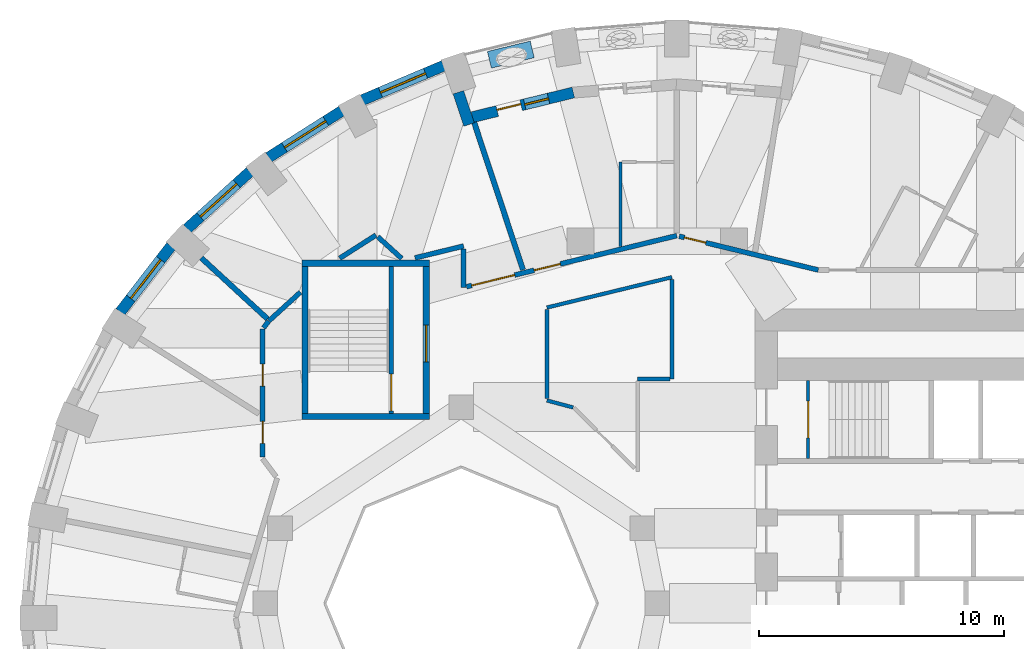
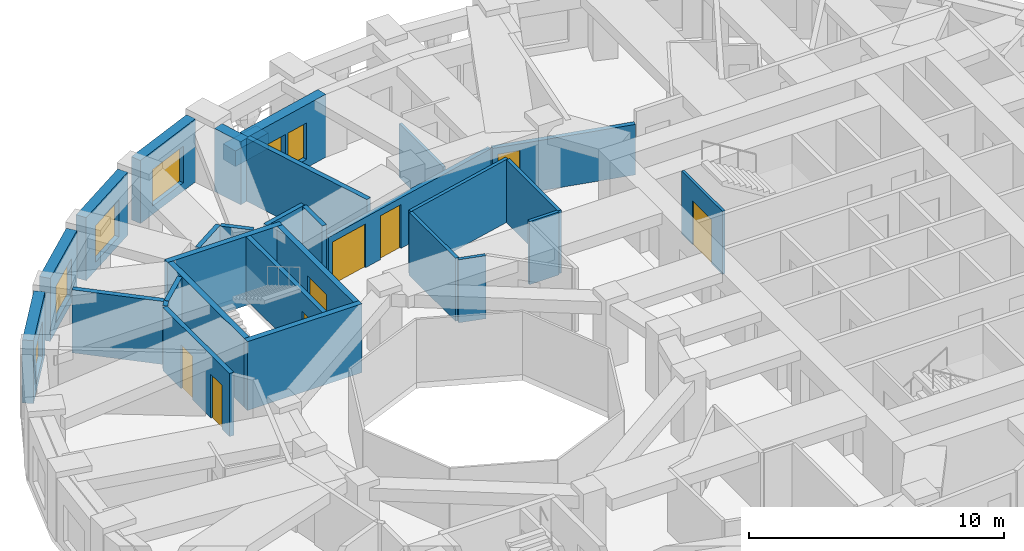
# One storey, part 7 of 12: 30 walls, 9 doors, 5 windows, 14 openings.
"""IFC4 building model written with IfcOpenShell, lengths in metres."""

import ifcopenshell
import ifcopenshell.guid

model = None  # the IFC model being written
_history = None  # IfcOwnerHistory: only IFC2X3 demands one
_inside = {}  # id of a spatial element -> (the spatial element, [elements in it])
_under = {}  # id of a project, library or spatial element -> (it, [spatial elements below it])
_declared = {}  # id of a project -> (the project, [libraries it declares])
_typed = {}  # id of a type object -> (the type object, [elements of that type])
_made_of = {}  # id of a material, layer set ... -> (it, [elements and type objects made of it])


def new_model(schema):
    """Start an empty IFC model of exactly this schema.

    Asked for "IFC4X3", IfcOpenShell would pick the latest addendum, in which some entities
    have other attributes; the version numbers below select the first issue.
    IFC2X3 requires an IfcOwnerHistory on every rooted entity: one is made here for all.
    """
    global model, _history
    if schema == "IFC4X3":
        model = ifcopenshell.file(schema_version=(4, 3, 0, 0))
    else:
        model = ifcopenshell.file(schema=schema)
    _inside.clear()
    _under.clear()
    _declared.clear()
    _typed.clear()
    _made_of.clear()
    _history = None
    if model.schema == "IFC2X3":
        org = make("IfcOrganization", Name="unknown")
        user = make(
            "IfcPersonAndOrganization",
            ThePerson=make("IfcPerson", FamilyName="unknown"),
            TheOrganization=org,
        )
        app = make(
            "IfcApplication",
            ApplicationDeveloper=org,
            Version="unknown",
            ApplicationFullName="unknown",
            ApplicationIdentifier="unknown",
        )
        _history = make(
            "IfcOwnerHistory",
            OwningUser=user,
            OwningApplication=app,
            ChangeAction="ADDED",
            CreationDate=0,
        )
    return model


def make(cls, **values):
    """One entity of the class cls with the attributes given. An attribute that is None is left unset."""
    return model.create_entity(
        cls, **{name: value for name, value in values.items() if value is not None}
    )


def rooted(cls, **values):
    """An entity with a GlobalId (a new one), such as an element, a storey or a relation."""
    return make(cls, GlobalId=ifcopenshell.guid.new(), OwnerHistory=_history, **values)


def si_unit(unit_type, name, prefix=None):
    """IfcSIUnit, for example si_unit("LENGTHUNIT", "METRE", prefix="MILLI")."""
    return make("IfcSIUnit", UnitType=unit_type, Prefix=prefix, Name=name)


def assignment(units):
    """IfcUnitAssignment: the units of a project."""
    return None if units is None else make("IfcUnitAssignment", Units=units)


def point(xyz):
    """IfcCartesianPoint."""
    return None if xyz is None else make("IfcCartesianPoint", Coordinates=xyz)


def direction(xyz):
    """IfcDirection."""
    return None if xyz is None else make("IfcDirection", DirectionRatios=xyz)


def frame(location, z_axis=None, x_axis=None):
    """IfcAxis2Placement3D, a coordinate frame: its origin and axes. An axis left out is left unset."""
    return make(
        "IfcAxis2Placement3D",
        Location=point(location),
        Axis=direction(z_axis),
        RefDirection=direction(x_axis),
    )


def frame_2d(location, x_axis=None):
    """IfcAxis2Placement2D, a coordinate frame in the plane: its origin and x axis."""
    return make(
        "IfcAxis2Placement2D", Location=point(location), RefDirection=direction(x_axis)
    )


def origin():
    """The frame at (0, 0, 0) with its axes left unset."""
    return frame((0.0, 0.0, 0.0))


def place(relative_to, where):
    """IfcLocalPlacement: puts the frame where relative to a parent placement (None: the world)."""
    return make(
        "IfcLocalPlacement", PlacementRelTo=relative_to, RelativePlacement=where
    )


def context(
    kind, dimensions, precision=None, world=None, true_north=None, identifier=None
):
    """IfcGeometricRepresentationContext, for example the 3D "Model" context."""
    return make(
        "IfcGeometricRepresentationContext",
        ContextIdentifier=identifier,
        ContextType=kind,
        CoordinateSpaceDimension=dimensions,
        Precision=precision,
        WorldCoordinateSystem=world,
        TrueNorth=true_north,
    )


def subcontext(parent, identifier, kind, view, scale=None):
    """IfcGeometricRepresentationSubContext, for example "Body" below "Model"."""
    return make(
        "IfcGeometricRepresentationSubContext",
        ContextIdentifier=identifier,
        ContextType=kind,
        ParentContext=parent,
        TargetScale=scale,
        TargetView=view,
    )


def project(units=None, contexts=None):
    """IfcProject with its units and contexts."""
    return rooted(
        "IfcProject",
        Name="project",
        RepresentationContexts=contexts,
        UnitsInContext=assignment(units),
    )


def spatial(cls, under=None, at=None, **own):
    """A site, building, storey or space (cls), placed at a placement, below another one or the project."""
    s = rooted(cls, ObjectPlacement=at, **own)
    if under is not None:
        _under.setdefault(under.id(), (under, []))[1].append(s)
    return s


def profile(cls, at=None, kind="AREA", **sizes):
    """A parametric profile (cls). Its sizes go by their IFC names, for example OverallWidth=200.0."""
    return make(cls, ProfileType=kind, Position=at, **sizes)


def rectangle(**sizes):
    """IfcRectangleProfileDef."""
    return profile("IfcRectangleProfileDef", **sizes)


def extrude(swept, where, along, depth):
    """IfcExtrudedAreaSolid: the profile swept, set in the frame where, extruded along a direction by depth."""
    return make(
        "IfcExtrudedAreaSolid",
        SweptArea=swept,
        Position=where,
        ExtrudedDirection=direction(along),
        Depth=depth,
    )


def shape(context_of_items, identifier, shape_type, items):
    """IfcShapeRepresentation: the items that make up one representation, for example the "Body"."""
    return make(
        "IfcShapeRepresentation",
        ContextOfItems=context_of_items,
        RepresentationIdentifier=identifier,
        RepresentationType=shape_type,
        Items=items,
    )


def material(Name=None, Category=None):
    """IfcMaterial."""
    return make("IfcMaterial", Name=Name, Category=Category)


def layer(
    of_material, thickness, ventilated=None, Name=None, Category=None, Priority=None
):
    """IfcMaterialLayer: one layer of a wall or slab, of a material (None: an air gap)."""
    return make(
        "IfcMaterialLayer",
        Material=of_material,
        LayerThickness=thickness,
        IsVentilated=ventilated,
        Name=Name,
        Category=Category,
        Priority=Priority,
    )


def layer_set(layers, Name=None):
    """IfcMaterialLayerSet."""
    return make("IfcMaterialLayerSet", MaterialLayers=layers, LayerSetName=Name)


def constituent(of_material, Name=None, Category=None, fraction=None):
    """IfcMaterialConstituent: one of the materials an element consists of."""
    return make(
        "IfcMaterialConstituent",
        Name=Name,
        Material=of_material,
        Fraction=fraction,
        Category=Category,
    )


def constituent_set(constituents=None, Name=None):
    """IfcMaterialConstituentSet."""
    return make(
        "IfcMaterialConstituentSet", Name=Name, MaterialConstituents=constituents
    )


def made_of(thing, what):
    """Note that an element or type object is made of a material, layer set ...; save() writes the relation."""
    if what is not None:
        _made_of.setdefault(what.id(), (what, []))[1].append(thing)
    return thing


def type_object(cls, material=None, **own):
    """A type object (cls), such as IfcWallType, which elements share."""
    return made_of(rooted(cls, **own), material)


def element(
    cls,
    number,
    at=None,
    inside=None,
    cuts=None,
    type_object=None,
    material=None,
    context=None,
    identifier="Body",
    shape_type=None,
    held_by="IfcProductDefinitionShape",
    body=None,
    shapes=None,
    **own,
):
    """One element of the class cls, such as IfcWall. Its Tag is "e" and its number.

    at: its placement. inside: the storey or other place that contains it. cuts: it is an
    opening in that element (IfcRelVoidsElement). A single representation is given by context,
    identifier, shape_type and body (its items); several are given by shapes. held_by: the class
    of the entity that holds the representations. save() writes the other relations.
    """
    e = rooted(cls, Tag="e%d" % number, ObjectPlacement=at, **own)
    if body is not None:
        shapes = [shape(context, identifier, shape_type, body)]
    if shapes is not None:
        e.Representation = make(held_by, Representations=shapes)
    if inside is not None:
        _inside.setdefault(inside.id(), (inside, []))[1].append(e)
    if cuts is not None:
        rooted(
            "IfcRelVoidsElement", RelatingBuildingElement=cuts, RelatedOpeningElement=e
        )
    if type_object is not None:
        _typed.setdefault(type_object.id(), (type_object, []))[1].append(e)
    return made_of(e, material)


def fill(opening, filler):
    """IfcRelFillsElement: the door or window that sits in an opening."""
    return rooted(
        "IfcRelFillsElement",
        RelatingOpeningElement=opening,
        RelatedBuildingElement=filler,
    )


def aggregate(whole, parts):
    """IfcRelAggregates: a whole, such as a stair, and the parts it consists of."""
    return rooted("IfcRelAggregates", RelatingObject=whole, RelatedObjects=parts)


def save(model, path):
    """Write the relations noted so far, then the file.

    IfcRelAggregates (storeys below a building ...), IfcRelContainedInSpatialStructure (elements
    in a storey), IfcRelDefinesByType, IfcRelAssociatesMaterial and IfcRelDeclares: one each for
    every whole, place, type object, material and project.
    """
    for whole, parts in _under.values():
        aggregate(whole, parts)
    for where, things in _inside.values():
        rooted(
            "IfcRelContainedInSpatialStructure",
            RelatedElements=things,
            RelatingStructure=where,
        )
    for kind, things in _typed.values():
        rooted("IfcRelDefinesByType", RelatedObjects=things, RelatingType=kind)
    for what, things in _made_of.values():
        rooted("IfcRelAssociatesMaterial", RelatedObjects=things, RelatingMaterial=what)
    for by, libraries in _declared.values():
        rooted("IfcRelDeclares", RelatingContext=by, RelatedDefinitions=libraries)
    model.write(path)


model = new_model("IFC4")

# Units and contexts
model_context = context("Model", 3, precision=1e-05, world=origin(), true_north=direction((0.0, 1.0)))
body_context = subcontext(model_context, "Body", "Model", "MODEL_VIEW")
ifc_project = project(units=[si_unit("LENGTHUNIT", "METRE"), si_unit("AREAUNIT", "SQUARE_METRE"), si_unit("VOLUMEUNIT", "CUBIC_METRE"), si_unit("PLANEANGLEUNIT", "RADIAN"), si_unit("MASSUNIT", "GRAM", prefix="KILO")], contexts=[model_context])

# Site, building, storey
site_placement = place(None, origin())
site = spatial("IfcSite", under=ifc_project, at=site_placement, CompositionType="ELEMENT")
building_placement = place(site_placement, origin())
building = spatial("IfcBuilding", under=site, at=building_placement, Name="Taillehof Tower", CompositionType="ELEMENT")
storey_placement = place(building_placement, frame((0.0, 0.0, 95.5)))
storey = spatial("IfcBuildingStorey", under=building, at=storey_placement, Name="L26", CompositionType="ELEMENT", Elevation=95.5)

# Wall, opening, window
ifc_material_1 = material(Name="Brick masonry", Category="masonry")
ifc_layer_1 = layer(ifc_material_1, 0.449951171875)
ifc_layer_set_1 = layer_set([ifc_layer_1], Name="Brick infill wall 450")
wall_type_1 = type_object("IfcWallType", Name="Brick infill wall 450", PredefinedType="SOLIDWALL", material=ifc_layer_set_1)
wall_1_placement = place(storey_placement, frame((-8.718017578125, 21.93359375, 0.0), z_axis=(0.0, 0.0, 1.0), x_axis=(-0.920879975612, -0.389846213932, 0.0)))
wall_1 = element("IfcWall", 1, at=wall_1_placement, inside=storey, type_object=wall_type_1, Name="Brick wall L26 bay 12", PredefinedType="SOLIDWALL", context=body_context, shape_type="SweptSolid", body=[
    extrude(rectangle(XDim=3.591552734375, YDim=0.449951171875, at=frame_2d((1.7958984375, 0.0))), origin(), (0.0, 0.0, 1.0), 3.02001953125),
])
opening_1_placement = place(wall_1_placement, frame((0.795654296875, 0.0, 0.39990234375)))
opening_1 = element("IfcOpeningElement", 2, at=opening_1_placement, cuts=wall_1, Name="Opening W2", PredefinedType="OPENING", context=body_context, shape_type="SweptSolid", body=[
    extrude(rectangle(XDim=2.0, YDim=1.75, at=frame_2d((1.0, 0.875))), frame((0.0, 0.23486328125, 0.0), z_axis=(0.0, -1.0, 0.0), x_axis=(1.0, 0.0, 0.0)), (0.0, 0.0, 1.0), 0.469970703125),
])
ifc_material_2 = material(Name="Aluminium window frame with clear double glazing", Category="aluminium")
window_type_1 = type_object("IfcWindowType", Name="Deep-set window 2000x1750", PartitioningType="SINGLE_PANEL", PredefinedType="WINDOW", material=ifc_material_2)
window_1_placement = place(opening_1_placement, origin())
window_1 = element("IfcWindow", 3, at=window_1_placement, inside=storey, type_object=window_type_1, Name="W2", OverallHeight=1.75, OverallWidth=2.0, PartitioningType="SINGLE_PANEL", PredefinedType="WINDOW", context=body_context, shape_type="SweptSolid", body=[
    extrude(rectangle(XDim=2.0, YDim=1.75, at=frame_2d((1.0, 0.875))), frame((0.0, 0.034912109375, 0.0), z_axis=(0.0, -1.0, 0.0), x_axis=(1.0, 0.0, 0.0)), (0.0, 0.0, 1.0), 0.06005859375),
])
fill(opening_1, window_1)

wall_2_placement = place(storey_placement, frame((-12.87548828125, 20.087158203125, 0.0), z_axis=(0.0, 0.0, 1.0), x_axis=(-0.843860651879, -0.536562391722, 0.0)))
wall_2 = element("IfcWall", 4, at=wall_2_placement, inside=storey, type_object=wall_type_1, Name="Brick wall L26 bay 13", PredefinedType="SOLIDWALL", context=body_context, shape_type="SweptSolid", body=[
    extrude(rectangle(XDim=3.5322265625, YDim=0.449951171875, at=frame_2d((1.76611328125, 0.0))), origin(), (0.0, 0.0, 1.0), 3.02001953125),
])
opening_2_placement = place(wall_2_placement, frame((0.76611328125, 0.0, 0.39990234375)))
opening_2 = element("IfcOpeningElement", 5, at=opening_2_placement, cuts=wall_2, Name="Opening W2", PredefinedType="OPENING", context=body_context, shape_type="SweptSolid", body=[
    extrude(rectangle(XDim=2.0, YDim=1.75, at=frame_2d((1.0, 0.875))), frame((0.0, 0.23486328125, 0.0), z_axis=(0.0, -1.0, 0.0), x_axis=(1.0, 0.0, 0.0)), (0.0, 0.0, 1.0), 0.469970703125),
])
window_2_placement = place(opening_2_placement, origin())
window_2 = element("IfcWindow", 6, at=window_2_placement, inside=storey, type_object=window_type_1, Name="W2", OverallHeight=1.75, OverallWidth=2.0, PartitioningType="SINGLE_PANEL", PredefinedType="WINDOW", context=body_context, shape_type="SweptSolid", body=[
    extrude(rectangle(XDim=2.0, YDim=1.75, at=frame_2d((1.0, 0.875))), frame((0.0, 0.034912109375, 0.0), z_axis=(0.0, -1.0, 0.0), x_axis=(1.0, 0.0, 0.0)), (0.0, 0.0, 1.0), 0.06005859375),
])
fill(opening_2, window_2)

wall_3_placement = place(storey_placement, frame((-16.61962890625, 17.609619140625, 0.0), z_axis=(0.0, 0.0, 1.0), x_axis=(-0.74032902847, -0.672244694739, 0.0)))
wall_3 = element("IfcWall", 7, at=wall_3_placement, inside=storey, type_object=wall_type_1, Name="Brick wall L26 bay 14", PredefinedType="SOLIDWALL", context=body_context, shape_type="SweptSolid", body=[
    extrude(rectangle(XDim=3.4638671875, YDim=0.449951171875, at=frame_2d((1.73193359375, 0.0))), origin(), (0.0, 0.0, 1.0), 3.02001953125),
])
opening_3_placement = place(wall_3_placement, frame((0.73193359375, 0.0, 0.39990234375)))
opening_3 = element("IfcOpeningElement", 8, at=opening_3_placement, cuts=wall_3, Name="Opening W2", PredefinedType="OPENING", context=body_context, shape_type="SweptSolid", body=[
    extrude(rectangle(XDim=2.0, YDim=1.75, at=frame_2d((1.0, 0.875))), frame((0.0, 0.23486328125, 0.0), z_axis=(0.0, -1.0, 0.0), x_axis=(1.0, 0.0, 0.0)), (0.0, 0.0, 1.0), 0.469970703125),
])
window_3_placement = place(opening_3_placement, origin())
window_3 = element("IfcWindow", 9, at=window_3_placement, inside=storey, type_object=window_type_1, Name="W2", OverallHeight=1.75, OverallWidth=2.0, PartitioningType="SINGLE_PANEL", PredefinedType="WINDOW", context=body_context, shape_type="SweptSolid", body=[
    extrude(rectangle(XDim=2.0, YDim=1.75, at=frame_2d((1.0, 0.875))), frame((0.0, 0.034912109375, 0.0), z_axis=(0.0, -1.0, 0.0), x_axis=(1.0, 0.0, 0.0)), (0.0, 0.0, 1.0), 0.06005859375),
])
fill(opening_3, window_3)

wall_4_placement = place(storey_placement, frame((-19.835205078125, 14.575439453125, 0.0), z_axis=(0.0, 0.0, 1.0), x_axis=(-0.610693945156, -0.791866721961, 0.0)))
wall_4 = element("IfcWall", 10, at=wall_4_placement, inside=storey, type_object=wall_type_1, Name="Brick wall L26 bay 15", PredefinedType="SOLIDWALL", context=body_context, shape_type="SweptSolid", body=[
    extrude(rectangle(XDim=3.39453125, YDim=0.449951171875, at=frame_2d((1.697265625, 0.0))), origin(), (0.0, 0.0, 1.0), 3.02001953125),
])
opening_4_placement = place(wall_4_placement, frame((0.697265625, 0.0, 0.39990234375)))
opening_4 = element("IfcOpeningElement", 11, at=opening_4_placement, cuts=wall_4, Name="Opening W2", PredefinedType="OPENING", context=body_context, shape_type="SweptSolid", body=[
    extrude(rectangle(XDim=2.0, YDim=1.75, at=frame_2d((1.0, 0.875))), frame((0.0, 0.23486328125, 0.0), z_axis=(0.0, -1.0, 0.0), x_axis=(1.0, 0.0, 0.0)), (0.0, 0.0, 1.0), 0.469970703125),
])
window_4_placement = place(opening_4_placement, origin())
window_4 = element("IfcWindow", 12, at=window_4_placement, inside=storey, type_object=window_type_1, Name="W2", OverallHeight=1.75, OverallWidth=2.0, PartitioningType="SINGLE_PANEL", PredefinedType="WINDOW", context=body_context, shape_type="SweptSolid", body=[
    extrude(rectangle(XDim=2.0, YDim=1.75, at=frame_2d((1.0, 0.875))), frame((0.0, 0.034912109375, 0.0), z_axis=(0.0, -1.0, 0.0), x_axis=(1.0, 0.0, 0.0)), (0.0, 0.0, 1.0), 0.06005859375),
])
fill(opening_4, window_4)

# Wall
wall_5_placement = place(storey_placement, frame((-8.1142578125, 20.853271484375, 0.0), z_axis=(0.0, 0.0, 1.0), x_axis=(0.314488854508, -0.949261165534, 0.0)))
element("IfcWall", 13, at=wall_5_placement, inside=storey, type_object=wall_type_1, Name="Brick reveal L26 pocket 2", PredefinedType="SOLIDWALL", context=body_context, shape_type="SweptSolid", body=[
    extrude(rectangle(XDim=1.390380859375, YDim=0.449951171875, at=frame_2d((0.6953125, 0.0))), origin(), (0.0, 0.0, 1.0), 3.02001953125),
])

# Wall, openings, door, window
wall_6_placement = place(storey_placement, frame((-3.419921875, 20.841064453125, 0.0), z_axis=(0.0, 0.0, 1.0), x_axis=(-0.971511611373, -0.23699195971, 0.0)))
wall_6 = element("IfcWall", 14, at=wall_6_placement, inside=storey, type_object=wall_type_1, Name="Brick wall L26 pocket bay 11", PredefinedType="SOLIDWALL", context=body_context, shape_type="SweptSolid", body=[
    extrude(rectangle(XDim=4.2412109375, YDim=0.449951171875, at=frame_2d((2.12060546875, 0.0))), origin(), (0.0, 0.0, 1.0), 3.02001953125),
])
opening_5_placement = place(wall_6_placement, frame((1.04541015625, 0.0, 0.39990234375)))
opening_5 = element("IfcOpeningElement", 15, at=opening_5_placement, cuts=wall_6, Name="Opening W5", PredefinedType="OPENING", context=body_context, shape_type="SweptSolid", body=[
    extrude(rectangle(XDim=1.0, YDim=1.75, at=frame_2d((0.5, 0.875))), frame((0.0, 0.23486328125, 0.0), z_axis=(0.0, -1.0, 0.0), x_axis=(1.0, 0.0, 0.0)), (0.0, 0.0, 1.0), 0.469970703125),
])
opening_6_placement = place(wall_6_placement, frame((2.195556640625, 0.0, 0.0)))
opening_6 = element("IfcOpeningElement", 16, at=opening_6_placement, cuts=wall_6, Name="Opening D2696", PredefinedType="OPENING", context=body_context, shape_type="SweptSolid", body=[
    extrude(rectangle(XDim=1.0, YDim=2.14990234375, at=frame_2d((0.5, 1.074951171875))), frame((0.0, 0.23486328125, 0.0), z_axis=(0.0, -1.0, 0.0), x_axis=(1.0, 0.0, 0.0)), (0.0, 0.0, 1.0), 0.469970703125),
])
ifc_material_3 = material(Name="Aluminium door frame with clear double glazing", Category="aluminium")
door_type_1 = type_object("IfcDoorType", Name="Balcony door 1000x2150", OperationType="SINGLE_SWING_RIGHT", PredefinedType="DOOR", material=ifc_material_3)
door_1_placement = place(opening_6_placement, frame((1.0, 0.0, 0.0), z_axis=(0.0, 0.0, 1.0), x_axis=(-1.0, 0.0, 0.0)))
door_1 = element("IfcDoor", 17, at=door_1_placement, inside=storey, type_object=door_type_1, Name="Balcony door L26 bay 11", OperationType="SINGLE_SWING_LEFT", OverallHeight=2.14990234375, OverallWidth=1.0, PredefinedType="DOOR", context=body_context, shape_type="SweptSolid", body=[
    extrude(rectangle(XDim=1.0, YDim=2.14990234375, at=frame_2d((0.5, 1.074951171875))), frame((0.0, 0.0751953125, 0.0), z_axis=(0.0, -1.0, 0.0), x_axis=(1.0, 0.0, 0.0)), (0.0, 0.0, 1.0), 0.050048828125),
])
fill(opening_6, door_1)
ifc_material_4 = material(Name="Aluminium window frame with clear double glazing", Category="aluminium")
window_type_2 = type_object("IfcWindowType", Name="Fixed window 1000x1750", PartitioningType="SINGLE_PANEL", PredefinedType="WINDOW", material=ifc_material_4)
window_5_placement = place(opening_5_placement, origin())
window_5 = element("IfcWindow", 18, at=window_5_placement, inside=storey, type_object=window_type_2, Name="W5", OverallHeight=1.75, OverallWidth=1.0, PartitioningType="SINGLE_PANEL", PredefinedType="WINDOW", context=body_context, shape_type="SweptSolid", body=[
    extrude(rectangle(XDim=1.0, YDim=1.75, at=frame_2d((0.5, 0.875))), frame((0.0, 0.034912109375, 0.0), z_axis=(0.0, -1.0, 0.0), x_axis=(1.0, 0.0, 0.0)), (0.0, 0.0, 1.0), 0.06005859375),
])
fill(opening_5, window_5)

# Wall, openings, doors
ifc_material_5 = material(Name="Gypsum board on steel studs, two layers each side", Category="steel")
ifc_layer_2 = layer(ifc_material_5, 0.199951171875)
ifc_layer_set_2 = layer_set([ifc_layer_2], Name="Compartment wall corridor 200")
wall_type_2 = type_object("IfcWallType", Name="Compartment wall corridor 200", PredefinedType="PARTITIONING", material=ifc_layer_set_2)
wall_7_placement = place(storey_placement, frame((-16.10009765625, 5.9599609375, 0.0), z_axis=(0.0, 0.0, 1.0), x_axis=(0.0, 1.0, 0.0)))
wall_7 = element("IfcWall", 19, at=wall_7_placement, inside=storey, type_object=wall_type_2, Name="Compartment wall", PredefinedType="PARTITIONING", context=body_context, shape_type="SweptSolid", body=[
    extrude(rectangle(XDim=5.232177734375, YDim=0.199951171875, at=frame_2d((2.6162109375, 0.0))), origin(), (0.0, 0.0, 1.0), 3.02001953125),
])
opening_7_placement = place(wall_7_placement, frame((2.896728515625, 0.0, 0.0)))
opening_7 = element("IfcOpeningElement", 20, at=opening_7_placement, cuts=wall_7, Name="Opening D2648", PredefinedType="OPENING", context=body_context, shape_type="SweptSolid", body=[
    extrude(rectangle(XDim=0.89990234375, YDim=2.10009765625, at=frame_2d((0.449951171875, 1.050048828125))), frame((0.0, 0.10986328125, 0.0), z_axis=(0.0, -1.0, 0.0), x_axis=(1.0, 0.0, 0.0)), (0.0, 0.0, 1.0), 0.219970703125),
])
opening_8_placement = place(wall_7_placement, frame((0.567626953125, 0.0, 0.0)))
opening_8 = element("IfcOpeningElement", 21, at=opening_8_placement, cuts=wall_7, Name="Opening D2649", PredefinedType="OPENING", context=body_context, shape_type="SweptSolid", body=[
    extrude(rectangle(XDim=0.89990234375, YDim=2.10009765625, at=frame_2d((0.449951171875, 1.050048828125))), frame((0.0, 0.10986328125, 0.0), z_axis=(0.0, -1.0, 0.0), x_axis=(1.0, 0.0, 0.0)), (0.0, 0.0, 1.0), 0.219970703125),
])
ifc_material_6 = material(Name="Timber door leaf in steel frame", Category="steel")
door_type_2 = type_object("IfcDoorType", Name="Service room door EI 30 900 x 2100", OperationType="SINGLE_SWING_LEFT", PredefinedType="DOOR", material=ifc_material_6)
door_2_placement = place(opening_7_placement, origin())
door_2 = element("IfcDoor", 22, at=door_2_placement, inside=storey, type_object=door_type_2, Name="D2648", OperationType="SINGLE_SWING_LEFT", OverallHeight=2.10009765625, OverallWidth=0.89990234375, PredefinedType="DOOR", context=body_context, shape_type="SweptSolid", body=[
    extrude(rectangle(XDim=0.89990234375, YDim=2.10009765625, at=frame_2d((0.449951171875, 1.050048828125))), frame((0.0, 0.02490234375, 0.0), z_axis=(0.0, -1.0, 0.0), x_axis=(1.0, 0.0, 0.0)), (0.0, 0.0, 1.0), 0.050048828125),
])
fill(opening_7, door_2)
door_3_placement = place(opening_8_placement, origin())
door_3 = element("IfcDoor", 23, at=door_3_placement, inside=storey, type_object=door_type_2, Name="D2649", OperationType="SINGLE_SWING_RIGHT", OverallHeight=2.10009765625, OverallWidth=0.89990234375, PredefinedType="DOOR", context=body_context, shape_type="SweptSolid", body=[
    extrude(rectangle(XDim=0.89990234375, YDim=2.10009765625, at=frame_2d((0.449951171875, 1.050048828125))), frame((0.0, 0.02490234375, 0.0), z_axis=(0.0, -1.0, 0.0), x_axis=(1.0, 0.0, 0.0)), (0.0, 0.0, 1.0), 0.050048828125),
])
fill(opening_8, door_3)

# Walls
wall_8_placement = place(storey_placement, frame((-16.0634765625, 11.23974609375, 0.0), z_axis=(0.0, 0.0, 1.0), x_axis=(0.609744747854, 0.792597844096, 0.0)))
element("IfcWall", 24, at=wall_8_placement, inside=storey, type_object=wall_type_2, Name="Compartment wall", PredefinedType="PARTITIONING", context=body_context, shape_type="SweptSolid", body=[
    extrude(rectangle(XDim=0.34716796875, YDim=0.199951171875, at=frame_2d((0.173583984375, 0.0))), origin(), (0.0, 0.0, 1.0), 3.02001953125),
])
wall_9_placement = place(storey_placement, frame((-15.8369140625, 11.5283203125, 0.0), z_axis=(0.0, 0.0, 1.0), x_axis=(0.739402681643, 0.673263450946, 0.0)))
element("IfcWall", 25, at=wall_9_placement, inside=storey, type_object=wall_type_2, Name="Compartment wall", PredefinedType="PARTITIONING", context=body_context, shape_type="SweptSolid", body=[
    extrude(rectangle(XDim=1.7275390625, YDim=0.199951171875, at=frame_2d((0.86376953125, 0.0))), origin(), (0.0, 0.0, 1.0), 3.02001953125),
])
wall_10_placement = place(storey_placement, frame((-12.957275390625, 14.0771484375, 0.0), z_axis=(0.0, 0.0, 1.0), x_axis=(0.843226410818, 0.537558573645, 0.0)))
element("IfcWall", 26, at=wall_10_placement, inside=storey, type_object=wall_type_2, Name="Compartment wall", PredefinedType="PARTITIONING", context=body_context, shape_type="SweptSolid", body=[
    extrude(rectangle(XDim=1.757080078125, YDim=0.199951171875, at=frame_2d((0.87841796875, 0.0))), origin(), (0.0, 0.0, 1.0), 3.02001953125),
])
wall_11_placement = place(storey_placement, frame((-11.401123046875, 14.95458984375, 0.0), z_axis=(0.0, 0.0, 1.0), x_axis=(0.740594498135, -0.671952222507, 0.0)))
element("IfcWall", 27, at=wall_11_placement, inside=storey, type_object=wall_type_2, Name="Compartment wall", PredefinedType="PARTITIONING", context=body_context, shape_type="SweptSolid", body=[
    extrude(rectangle(XDim=1.31591796875, YDim=0.199951171875, at=frame_2d((0.657958984375, 0.0))), origin(), (0.0, 0.0, 1.0), 3.02001953125),
])
wall_12_placement = place(storey_placement, frame((-9.883544921875, 14.092041015625, 0.0), z_axis=(0.0, 0.0, 1.0), x_axis=(0.971512281799, 0.236989211388, 0.0)))
element("IfcWall", 28, at=wall_12_placement, inside=storey, type_object=wall_type_2, Name="Compartment wall", PredefinedType="PARTITIONING", context=body_context, shape_type="SweptSolid", body=[
    extrude(rectangle(XDim=2.041748046875, YDim=0.199951171875, at=frame_2d((1.02099609375, 0.0))), origin(), (0.0, 0.0, 1.0), 3.02001953125),
])
wall_13_placement = place(storey_placement, frame((-7.89990234375, 14.455810546875, 0.0), z_axis=(0.0, 0.0, 1.0), x_axis=(0.0, -1.0, 0.0)))
element("IfcWall", 29, at=wall_13_placement, inside=storey, type_object=wall_type_2, Name="Compartment wall", PredefinedType="PARTITIONING", context=body_context, shape_type="SweptSolid", body=[
    extrude(rectangle(XDim=1.5673828125, YDim=0.199951171875, at=frame_2d((0.78369140625, 0.0))), origin(), (0.0, 0.0, 1.0), 3.02001953125),
])

# Wall, openings, doors
wall_14_placement = place(storey_placement, frame((-7.78271484375, 12.916259765625, 0.0), z_axis=(0.0, 0.0, 1.0), x_axis=(0.971770455305, 0.235928341232, 0.0)))
wall_14 = element("IfcWall", 30, at=wall_14_placement, inside=storey, type_object=wall_type_2, Name="Compartment wall", PredefinedType="PARTITIONING", context=body_context, shape_type="SweptSolid", body=[
    extrude(rectangle(XDim=8.83203125, YDim=0.199951171875, at=frame_2d((4.416015625, 0.0))), origin(), (0.0, 0.0, 1.0), 2.419921875),
])
opening_9_placement = place(wall_14_placement, frame((2.840087890625, 0.0, 0.0)))
opening_9 = element("IfcOpeningElement", 31, at=opening_9_placement, cuts=wall_14, Name="Opening D2645", PredefinedType="OPENING", context=body_context, shape_type="SweptSolid", body=[
    extrude(rectangle(XDim=1.10009765625, YDim=2.10009765625, at=frame_2d((0.550048828125, 1.050048828125))), frame((0.0, 0.10986328125, 0.0), z_axis=(0.0, -1.0, 0.0), x_axis=(1.0, 0.0, 0.0)), (0.0, 0.0, 1.0), 0.219970703125),
])
opening_10_placement = place(wall_14_placement, frame((0.219970703125, 0.0, 0.0)))
opening_10 = element("IfcOpeningElement", 32, at=opening_10_placement, cuts=wall_14, Name="Opening D2647", PredefinedType="OPENING", context=body_context, shape_type="SweptSolid", body=[
    extrude(rectangle(XDim=1.800048828125, YDim=2.10009765625, at=frame_2d((0.89990234375, 1.050048828125))), frame((0.0, 0.10986328125, 0.0), z_axis=(0.0, -1.0, 0.0), x_axis=(1.0, 0.0, 0.0)), (0.0, 0.0, 1.0), 0.219970703125),
])
ifc_material_7 = material(Name="Timber door leaf in steel frame", Category="steel")
door_type_3 = type_object("IfcDoorType", Name="Accessible guest room door EI 30 1100 x 2100", OperationType="SINGLE_SWING_LEFT", PredefinedType="DOOR", material=ifc_material_7)
door_4_placement = place(opening_9_placement, origin())
door_4 = element("IfcDoor", 33, at=door_4_placement, inside=storey, type_object=door_type_3, Name="D2645", OperationType="SINGLE_SWING_LEFT", OverallHeight=2.10009765625, OverallWidth=1.10009765625, PredefinedType="DOOR", context=body_context, shape_type="SweptSolid", body=[
    extrude(rectangle(XDim=1.10009765625, YDim=2.10009765625, at=frame_2d((0.550048828125, 1.050048828125))), frame((0.0, 0.02490234375, 0.0), z_axis=(0.0, -1.0, 0.0), x_axis=(1.0, 0.0, 0.0)), (0.0, 0.0, 1.0), 0.050048828125),
])
fill(opening_9, door_4)
ifc_material_8 = material(Name="Timber door leaf in steel frame", Category="steel")
door_type_4 = type_object("IfcDoorType", Name="Lounge and meeting room double door EI 30 1800 x 2100", OperationType="SINGLE_SWING_LEFT", PredefinedType="DOOR", material=ifc_material_8)
door_5_placement = place(opening_10_placement, origin())
door_5 = element("IfcDoor", 34, at=door_5_placement, inside=storey, type_object=door_type_4, Name="D2647", OperationType="DOUBLE_DOOR_SINGLE_SWING", OverallHeight=2.10009765625, OverallWidth=1.800048828125, PredefinedType="DOOR", context=body_context, shape_type="SweptSolid", body=[
    extrude(rectangle(XDim=1.800048828125, YDim=2.10009765625, at=frame_2d((0.89990234375, 1.050048828125))), frame((0.0, 0.02490234375, 0.0), z_axis=(0.0, -1.0, 0.0), x_axis=(1.0, 0.0, 0.0)), (0.0, 0.0, 1.0), 0.050048828125),
])
fill(opening_10, door_5)

# Wall, opening, door
wall_15_placement = place(storey_placement, frame((0.897705078125, 14.976806640625, 0.0), z_axis=(0.0, 0.0, 1.0), x_axis=(0.971773711573, -0.235914928515, 0.0)))
wall_15 = element("IfcWall", 35, at=wall_15_placement, inside=storey, type_object=wall_type_2, Name="Compartment wall", PredefinedType="PARTITIONING", context=body_context, shape_type="SweptSolid", body=[
    extrude(rectangle(XDim=5.835693359375, YDim=0.199951171875, at=frame_2d((2.91796875, 0.0))), origin(), (0.0, 0.0, 1.0), 2.419921875),
])
opening_11_placement = place(wall_15_placement, frame((0.219970703125, 0.0, 0.0)))
opening_11 = element("IfcOpeningElement", 36, at=opening_11_placement, cuts=wall_15, Name="Opening D2644", PredefinedType="OPENING", context=body_context, shape_type="SweptSolid", body=[
    extrude(rectangle(XDim=0.89990234375, YDim=2.10009765625, at=frame_2d((0.449951171875, 1.050048828125))), frame((0.0, 0.10986328125, 0.0), z_axis=(0.0, -1.0, 0.0), x_axis=(1.0, 0.0, 0.0)), (0.0, 0.0, 1.0), 0.219970703125),
])
door_6_placement = place(opening_11_placement, origin())
door_6 = element("IfcDoor", 37, at=door_6_placement, inside=storey, type_object=door_type_2, Name="D2644", OperationType="SINGLE_SWING_LEFT", OverallHeight=2.10009765625, OverallWidth=0.89990234375, PredefinedType="DOOR", context=body_context, shape_type="SweptSolid", body=[
    extrude(rectangle(XDim=0.89990234375, YDim=2.10009765625, at=frame_2d((0.449951171875, 1.050048828125))), frame((0.0, 0.02490234375, 0.0), z_axis=(0.0, -1.0, 0.0), x_axis=(1.0, 0.0, 0.0)), (0.0, 0.0, 1.0), 0.050048828125),
])
fill(opening_11, door_6)

# Walls
ifc_material_9 = material(Name="Gypsum board on double steel studs with mineral wool", Category="steel")
ifc_layer_3 = layer(ifc_material_9, 0.219970703125)
ifc_layer_set_3 = layer_set([ifc_layer_3], Name="Compartment wall guest room 220")
wall_type_3 = type_object("IfcWallType", Name="Compartment wall guest room 220", PredefinedType="PARTITIONING", material=ifc_layer_set_3)
wall_16_placement = place(storey_placement, frame((-7.46923828125, 19.621826171875, 0.0), z_axis=(0.0, 0.0, 1.0), x_axis=(0.314576080141, -0.94923226336, 0.0)))
element("IfcWall", 38, at=wall_16_placement, inside=storey, type_object=wall_type_3, Name="Compartment wall", PredefinedType="PARTITIONING", context=body_context, shape_type="SweptSolid", body=[
    extrude(rectangle(XDim=6.343017578125, YDim=0.219970703125, at=frame_2d((3.17138671875, 0.0))), origin(), (0.0, 0.0, 1.0), 3.02001953125),
])
wall_17_placement = place(storey_placement, frame((-18.60400390625, 14.09375, 0.0), z_axis=(0.0, 0.0, 1.0), x_axis=(0.73529495628, -0.677747244383, 0.0)))
element("IfcWall", 39, at=wall_17_placement, inside=storey, type_object=wall_type_3, Name="Compartment wall", PredefinedType="PARTITIONING", context=body_context, shape_type="SweptSolid", body=[
    extrude(rectangle(XDim=3.673828125, YDim=0.219970703125, at=frame_2d((1.8369140625, 0.0))), origin(), (0.0, 0.0, 1.0), 3.02001953125),
])
ifc_material_10 = material(Name="Gypsum board on steel studs, two layers each side", Category="steel")
ifc_layer_4 = layer(ifc_material_10, 0.14990234375)
ifc_layer_set_4 = layer_set([ifc_layer_4], Name="Compartment wall service room 150")
wall_type_4 = type_object("IfcWallType", Name="Compartment wall service room 150", PredefinedType="PARTITIONING", material=ifc_layer_set_4)
wall_18_placement = place(storey_placement, frame((-4.5, 12.0673828125, 0.0), z_axis=(0.0, 0.0, 1.0), x_axis=(0.971799407652, 0.23580905684, 0.0)))
element("IfcWall", 40, at=wall_18_placement, inside=storey, type_object=wall_type_4, Name="Compartment wall", PredefinedType="PARTITIONING", context=body_context, shape_type="SweptSolid", body=[
    extrude(rectangle(XDim=5.248046875, YDim=0.14990234375, at=frame_2d((2.6240234375, 0.0))), origin(), (0.0, 0.0, 1.0), 3.02001953125),
])
wall_19_placement = place(storey_placement, frame((0.60009765625, 13.204833984375, 0.0), z_axis=(0.0, 0.0, 1.0), x_axis=(0.0, -1.0, 0.0)))
element("IfcWall", 41, at=wall_19_placement, inside=storey, type_object=wall_type_4, Name="Compartment wall", PredefinedType="PARTITIONING", context=body_context, shape_type="SweptSolid", body=[
    extrude(rectangle(XDim=4.054931640625, YDim=0.14990234375, at=frame_2d((2.02734375, 0.0))), origin(), (0.0, 0.0, 1.0), 3.02001953125),
])
wall_20_placement = place(storey_placement, frame((0.52001953125, 9.14990234375, 0.0), z_axis=(0.0, 0.0, 1.0), x_axis=(-1.0, 0.0, 0.0)))
element("IfcWall", 42, at=wall_20_placement, inside=storey, type_object=wall_type_4, Name="Compartment wall", PredefinedType="PARTITIONING", context=body_context, shape_type="SweptSolid", body=[
    extrude(rectangle(XDim=1.320068359375, YDim=0.14990234375, at=frame_2d((0.66015625, 0.0))), origin(), (0.0, 0.0, 1.0), 3.02001953125),
])
wall_21_placement = place(storey_placement, frame((-3.431640625, 7.98974609375, 0.0), z_axis=(0.0, 0.0, 1.0), x_axis=(-0.965900750832, 0.258912609855, 0.0)))
element("IfcWall", 43, at=wall_21_placement, inside=storey, type_object=wall_type_4, Name="Compartment wall", PredefinedType="PARTITIONING", context=body_context, shape_type="SweptSolid", body=[
    extrude(rectangle(XDim=1.10595703125, YDim=0.14990234375, at=frame_2d((0.552978515625, 0.0))), origin(), (0.0, 0.0, 1.0), 3.02001953125),
])
wall_22_placement = place(storey_placement, frame((-4.5, 8.356201171875, 0.0), z_axis=(0.0, 0.0, 1.0), x_axis=(0.0, 1.0, 0.0)))
element("IfcWall", 44, at=wall_22_placement, inside=storey, type_object=wall_type_4, Name="Compartment wall", PredefinedType="PARTITIONING", context=body_context, shape_type="SweptSolid", body=[
    extrude(rectangle(XDim=3.631103515625, YDim=0.14990234375, at=frame_2d((1.8154296875, 0.0))), origin(), (0.0, 0.0, 1.0), 3.02001953125),
])
ifc_material_11 = material(Name="Gypsum board on steel studs, moisture resistant", Category="steel")
ifc_layer_5 = layer(ifc_material_11, 0.1201171875)
ifc_layer_set_5 = layer_set([ifc_layer_5], Name="En-suite wall 120")
wall_type_5 = type_object("IfcWallType", Name="En-suite wall 120", PredefinedType="PARTITIONING", material=ifc_layer_set_5)
wall_23_placement = place(storey_placement, frame((-1.5, 14.564697265625, 0.0), z_axis=(0.0, 0.0, 1.0), x_axis=(0.0, 1.0, 0.0)))
element("IfcWall", 45, at=wall_23_placement, inside=storey, type_object=wall_type_5, Name="En-suite wall", PredefinedType="PARTITIONING", context=body_context, shape_type="SweptSolid", body=[
    extrude(rectangle(XDim=3.435302734375, YDim=0.1201171875, at=frame_2d((1.7177734375, 0.0))), origin(), (0.0, 0.0, 1.0), 2.570068359375),
])
ifc_material_12 = material(Name="Concrete C30/37 precast", Category="concrete")
ifc_constituent_1 = constituent(ifc_material_12, Name="Structure", Category="concrete")
ifc_material_13 = material(Name="Insulated lining")
ifc_constituent_2 = constituent(ifc_material_13, Name="Lining")
ifc_constituent_set = constituent_set(constituents=[ifc_constituent_1, ifc_constituent_2], Name="Planter trough 700x750")
wall_type_6 = type_object("IfcWallType", Name="Planter trough 700x750", PredefinedType="USERDEFINED", material=ifc_constituent_set)
wall_24_placement = place(storey_placement, frame((-5.098876953125, 22.6005859375, 0.0), z_axis=(0.0, 0.0, 1.0), x_axis=(-0.971654974133, -0.23640349245, 0.0)))
element("IfcWall", 46, at=wall_24_placement, inside=storey, type_object=wall_type_6, Name="Planter L26 bay 11", ObjectType="PLANTER", PredefinedType="USERDEFINED", context=body_context, shape_type="SweptSolid", body=[
    extrude(rectangle(XDim=1.800048828125, YDim=0.699951171875, at=frame_2d((0.89990234375, 0.0))), origin(), (0.0, 0.0, 1.0), 0.75),
])

# Wall, opening, door
ifc_material_14 = material(Name="Concrete C50/60", Category="concrete")
ifc_layer_6 = layer(ifc_material_14, 0.199951171875)
ifc_layer_set_6 = layer_set([ifc_layer_6], Name="Shaft wall C50/60 200")
wall_type_7 = type_object("IfcWallType", Name="Shaft wall C50/60 200", PredefinedType="SHEAR", material=ifc_layer_set_6)
wall_25_placement = place(storey_placement, frame((-10.85009765625, 7.75, 0.0), z_axis=(0.0, 0.0, 1.0), x_axis=(0.0, 1.0, 0.0)))
wall_25 = element("IfcWall", 47, at=wall_25_placement, inside=storey, type_object=wall_type_7, Name="Shaft wall SW", PredefinedType="SHEAR", context=body_context, shape_type="SweptSolid", body=[
    extrude(rectangle(XDim=6.0, YDim=0.199951171875, at=frame_2d((3.0, 0.0))), origin(), (0.0, 0.0, 1.0), 3.02001953125),
])
opening_12_placement = place(wall_25_placement, frame((0.10009765625, 0.0, 0.0)))
opening_12 = element("IfcOpeningElement", 48, at=opening_12_placement, cuts=wall_25, Name="Opening D2612", PredefinedType="OPENING", context=body_context, shape_type="SweptSolid", body=[
    extrude(rectangle(XDim=1.5, YDim=2.10009765625, at=frame_2d((0.75, 1.050048828125))), frame((0.0, 0.10986328125, 0.0), z_axis=(0.0, -1.0, 0.0), x_axis=(1.0, 0.0, 0.0)), (0.0, 0.0, 1.0), 0.219970703125),
])
ifc_material_15 = material(Name="Steel-faced fire door", Category="steel")
door_type_5 = type_object("IfcDoorType", Name="Stair door 1500x2100", OperationType="DOUBLE_DOOR_SINGLE_SWING", PredefinedType="DOOR", material=ifc_material_15)
door_7_placement = place(opening_12_placement, origin())
door_7 = element("IfcDoor", 49, at=door_7_placement, inside=storey, type_object=door_type_5, Name="Stair lobby door S3", OperationType="DOUBLE_DOOR_SINGLE_SWING", OverallHeight=2.10009765625, OverallWidth=1.5, PredefinedType="DOOR", context=body_context, shape_type="SweptSolid", body=[
    extrude(rectangle(XDim=1.5, YDim=2.10009765625, at=frame_2d((0.75, 1.050048828125))), frame((0.0, 0.02490234375, 0.0), z_axis=(0.0, -1.0, 0.0), x_axis=(1.0, 0.0, 0.0)), (0.0, 0.0, 1.0), 0.050048828125),
])
fill(opening_12, door_7)

ifc_material_16 = material(Name="Concrete C50/60", Category="concrete")
ifc_layer_7 = layer(ifc_material_16, 0.1201171875)
ifc_layer_set_7 = layer_set([ifc_layer_7], Name="Stair lobby wall C50/60 120")
wall_type_8 = type_object("IfcWallType", Name="Stair lobby wall C50/60 120", PredefinedType="SHEAR", material=ifc_layer_set_7)
wall_26_placement = place(storey_placement, frame((6.159912109375, 5.89990234375, 0.0), z_axis=(0.0, 0.0, 1.0), x_axis=(0.0, 1.0, 0.0)))
wall_26 = element("IfcWall", 50, at=wall_26_placement, inside=storey, type_object=wall_type_8, Name="Compartment wall SW", PredefinedType="SHEAR", context=body_context, shape_type="SweptSolid", body=[
    extrude(rectangle(XDim=3.2001953125, YDim=0.1201171875, at=frame_2d((1.60009765625, 0.0))), origin(), (0.0, 0.0, 1.0), 3.02001953125),
])
opening_13_placement = place(wall_26_placement, frame((0.85009765625, 0.0, 0.0)))
opening_13 = element("IfcOpeningElement", 51, at=opening_13_placement, cuts=wall_26, Name="Opening D2610", PredefinedType="OPENING", context=body_context, shape_type="SweptSolid", body=[
    extrude(rectangle(XDim=1.5, YDim=2.10009765625, at=frame_2d((0.75, 1.050048828125))), frame((0.0, 0.070068359375, 0.0), z_axis=(0.0, -1.0, 0.0), x_axis=(1.0, 0.0, 0.0)), (0.0, 0.0, 1.0), 0.14013671875),
])
door_8_placement = place(opening_13_placement, origin())
door_8 = element("IfcDoor", 52, at=door_8_placement, inside=storey, type_object=door_type_5, Name="Stair lobby door S1", OperationType="DOUBLE_DOOR_SINGLE_SWING", OverallHeight=2.10009765625, OverallWidth=1.5, PredefinedType="DOOR", context=body_context, shape_type="SweptSolid", body=[
    extrude(rectangle(XDim=1.5, YDim=2.10009765625, at=frame_2d((0.75, 1.050048828125))), frame((0.0, 0.02490234375, 0.0), z_axis=(0.0, -1.0, 0.0), x_axis=(1.0, 0.0, 0.0)), (0.0, 0.0, 1.0), 0.050048828125),
])
fill(opening_13, door_8)

# Wall
ifc_material_17 = material(Name="Concrete C50/60", Category="concrete")
ifc_layer_8 = layer(ifc_material_17, 0.25)
ifc_layer_set_8 = layer_set([ifc_layer_8], Name="Stair wall C50/60 250")
wall_type_9 = type_object("IfcWallType", Name="Stair wall C50/60 250", PredefinedType="SHEAR", material=ifc_layer_set_8)
wall_27_placement = place(storey_placement, frame((-14.375, 7.75, -0.280029296875), z_axis=(0.0, 0.0, 1.0), x_axis=(0.0, 1.0, 0.0)))
element("IfcWall", 53, at=wall_27_placement, inside=storey, type_object=wall_type_9, Name="Stair wall SC", PredefinedType="SHEAR", context=body_context, shape_type="SweptSolid", body=[
    extrude(rectangle(XDim=6.0, YDim=0.25, at=frame_2d((3.0, 0.0))), origin(), (0.0, 0.0, 1.0), 3.300048828125),
])

# Wall, opening, door
wall_28_placement = place(storey_placement, frame((-9.425048828125, 7.75, -0.280029296875), z_axis=(0.0, 0.0, 1.0), x_axis=(0.0, 1.0, 0.0)))
wall_28 = element("IfcWall", 54, at=wall_28_placement, inside=storey, type_object=wall_type_9, Name="Stair wall SC", PredefinedType="SHEAR", context=body_context, shape_type="SweptSolid", body=[
    extrude(rectangle(XDim=6.0, YDim=0.25, at=frame_2d((3.0, 0.0))), origin(), (0.0, 0.0, 1.0), 3.300048828125),
])
opening_14_placement = place(wall_28_placement, frame((2.10009765625, 0.0, 0.280029296875)))
opening_14 = element("IfcOpeningElement", 55, at=opening_14_placement, cuts=wall_28, Name="Opening D2619", PredefinedType="OPENING", context=body_context, shape_type="SweptSolid", body=[
    extrude(rectangle(XDim=1.5, YDim=2.10009765625, at=frame_2d((0.75, 1.050048828125))), frame((0.0, 0.135009765625, 0.0), z_axis=(0.0, -1.0, 0.0), x_axis=(1.0, 0.0, 0.0)), (0.0, 0.0, 1.0), 0.27001953125),
])
door_9_placement = place(opening_14_placement, origin())
door_9 = element("IfcDoor", 56, at=door_9_placement, inside=storey, type_object=door_type_5, Name="Stair door S3", OperationType="DOUBLE_DOOR_SINGLE_SWING", OverallHeight=2.10009765625, OverallWidth=1.5, PredefinedType="DOOR", context=body_context, shape_type="SweptSolid", body=[
    extrude(rectangle(XDim=1.5, YDim=2.10009765625, at=frame_2d((0.75, 1.050048828125))), frame((0.0, 0.02490234375, 0.0), z_axis=(0.0, -1.0, 0.0), x_axis=(1.0, 0.0, 0.0)), (0.0, 0.0, 1.0), 0.050048828125),
])
fill(opening_14, door_9)

# Walls
for number, where, z_axis, x_axis, name in (
    (57, (-14.5, 13.875, -0.280029296875), (0.0, 0.0, 1.0), (1.0, 0.0, 0.0), "Stair wall SC"),
    (58, (-14.5, 7.625, -0.280029296875), (0.0, 0.0, 1.0), (1.0, 0.0, 0.0), "Stair wall SC"),
):
    element("IfcWall", number, at=place(storey_placement, frame(where, z_axis=z_axis, x_axis=x_axis)), inside=storey, type_object=wall_type_9, Name=name, PredefinedType="SHEAR", context=body_context, shape_type="SweptSolid", body=[
        extrude(rectangle(XDim=5.199951171875, YDim=0.25, at=frame_2d((2.60009765625, 0.0))), origin(), (0.0, 0.0, 1.0), 3.300048828125),
    ])

save(model, "model.ifc")
